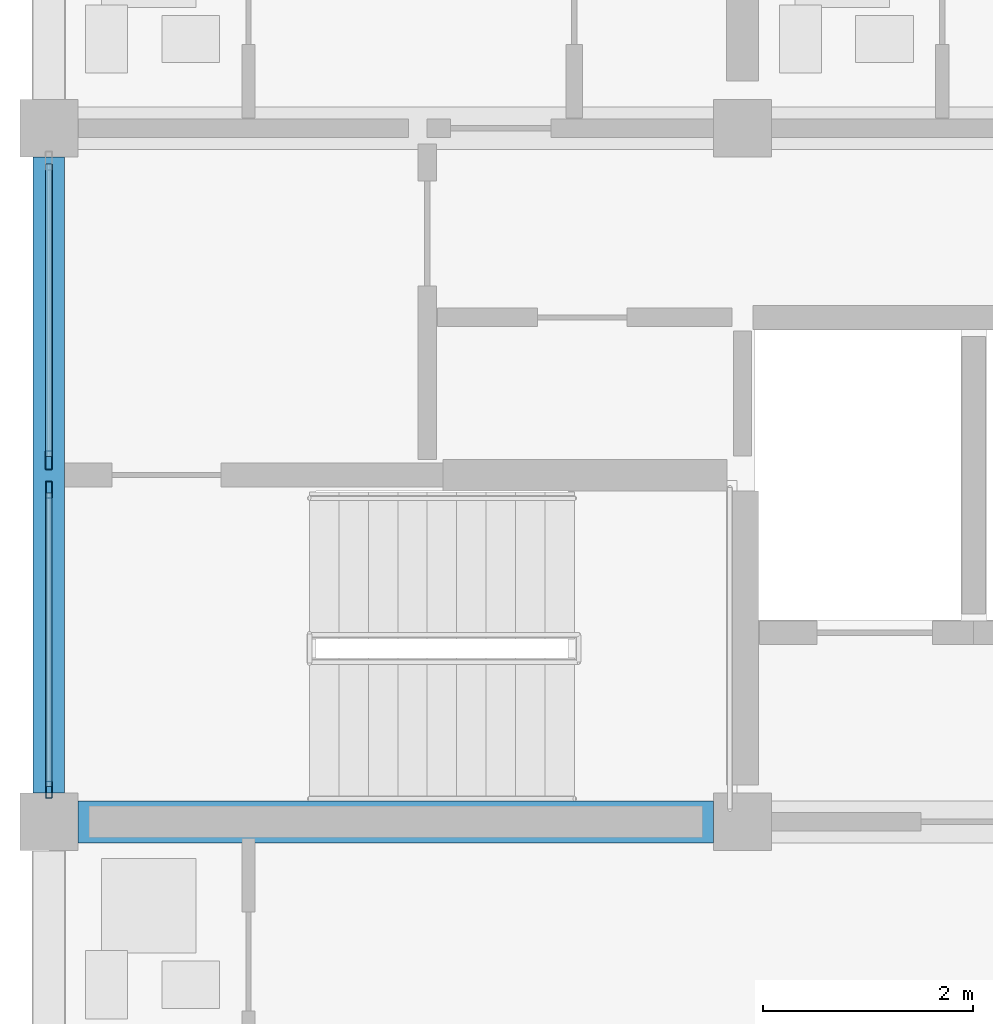
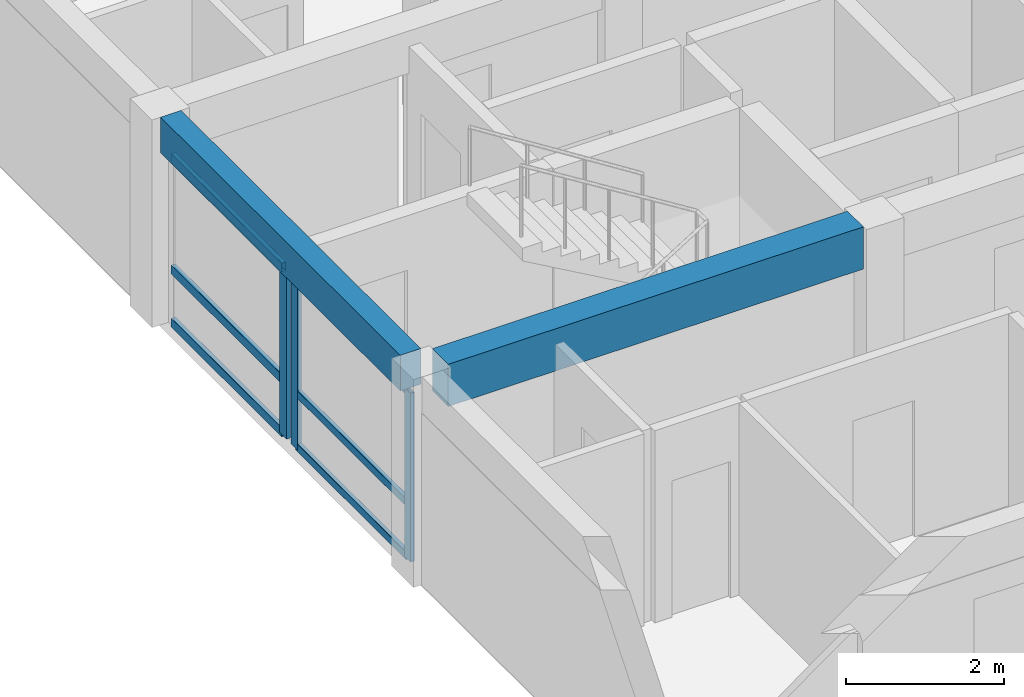
# One storey, part 15 of 45: 9 members, 2 beams, 2 elements without a shape of their own.
"""IFC4 building model written with IfcOpenShell, lengths in metres."""

from ifc_helpers import new_model, si_unit, direction, frame, origin, origin_2d, place, context, subcontext, project, spatial, rectangle, hollow_rectangle, extrude, material, material_profile, profile_set, type_object, element, aggregate, save


model = new_model("IFC4")

# Units and contexts
model_context = context("Model", 3, precision=1e-05, world=origin(), true_north=direction((0.0, 1.0)))
body_context = subcontext(model_context, "Body", "Model", "MODEL_VIEW")
ifc_project = project(units=[si_unit("LENGTHUNIT", "METRE"), si_unit("AREAUNIT", "SQUARE_METRE"), si_unit("VOLUMEUNIT", "CUBIC_METRE"), si_unit("PLANEANGLEUNIT", "RADIAN"), si_unit("MASSUNIT", "GRAM", prefix="KILO")], contexts=[model_context])

# Site, building, storey
site_placement = place(None, origin())
site = spatial("IfcSite", under=ifc_project, at=site_placement, CompositionType="ELEMENT")
building_placement = place(site_placement, origin())
building = spatial("IfcBuilding", under=site, at=building_placement, Name="Kernevlak Ridge Housing Community", CompositionType="ELEMENT")
storey_placement = place(building_placement, frame((0.0, 0.0, 21.199951171875)))
storey = spatial("IfcBuildingStorey", under=building, at=storey_placement, Name="L06", CompositionType="ELEMENT", Elevation=21.199951171875)

# Beam
ifc_material_1 = material(Name="Concrete C35/45", Category="concrete")
ifc_material_profile_1 = material_profile(ifc_material_1, rectangle(XDim=0.39990234375, YDim=0.64990234375, at=origin_2d()), Name="RC 400x650")
ifc_profile_set_1 = profile_set([ifc_material_profile_1], Name="Concrete C35/45")
beam_type_1 = type_object("IfcBeamType", Name="B-03", PredefinedType="T_BEAM", material=ifc_profile_set_1)
beam_1_placement = place(storey_placement, frame((15.875, 82.60009765625, 2.875), z_axis=(1.0, 0.0, 0.0), x_axis=(0.0, 1.0, 0.0)))
element("IfcBeam", 1, at=beam_1_placement, inside=storey, type_object=beam_type_1, Name="Beam B-03 L06 218", PredefinedType="T_BEAM", context=body_context, shape_type="SweptSolid", body=[
    extrude(rectangle(XDim=0.39990234375, YDim=0.64990234375, at=origin_2d()), origin(), (0.0, 0.0, 1.0), 6.050048828125),
])

# Curtain wall, members
ifc_material_2 = material(Name="Aluminium EN AW-6060 anodised and laminated glass", Category="aluminium")
curtain_wall_type_1 = type_object("IfcCurtainWallType", Name="CW-01", PredefinedType="NOTDEFINED", material=ifc_material_2)
curtain_wall_1_placement = place(storey_placement, origin())
curtain_wall_1 = element("IfcCurtainWall", 2, at=curtain_wall_1_placement, inside=storey, type_object=curtain_wall_type_1, Name="Curtain wall CW-01 CW-L06-019", PredefinedType="NOTDEFINED")
ifc_material_3 = material(Name="Aluminium EN AW-6060 anodised", Category="aluminium")
ifc_material_profile_2 = material_profile(ifc_material_3, hollow_rectangle(XDim=0.06005859375, YDim=0.159912109375, WallThickness=0.00390625, InnerFilletRadius=0.001953125, OuterFilletRadius=0.00390625, at=origin_2d()), Name="ALU 60x160x4")
ifc_profile_set_2 = profile_set([ifc_material_profile_2], Name="Aluminium EN AW-6060 anodised")
member_type_1 = type_object("IfcMemberType", Name="MU-02", PredefinedType="MULLION", material=ifc_profile_set_2)
member_1_placement = place(storey_placement, frame((15.60009765625, 82.905029296875, 0.0), z_axis=(0.0, 0.0, 1.0), x_axis=(-1.0, 0.0, 0.0)))
member_1 = element("IfcMember", 3, at=member_1_placement, type_object=member_type_1, Name="CW-01 mullion 1", PredefinedType="MULLION", context=body_context, shape_type="SweptSolid", body=[
    extrude(hollow_rectangle(XDim=0.06005859375, YDim=0.159912109375, WallThickness=0.00390625, InnerFilletRadius=0.001953125, OuterFilletRadius=0.00390625, at=origin_2d()), origin(), (0.0, 0.0, 1.0), 2.60009765625),
])
member_2_placement = place(storey_placement, frame((15.60009765625, 85.760009765625, 0.0), z_axis=(0.0, 0.0, 1.0), x_axis=(-1.0, 0.0, 0.0)))
member_2 = element("IfcMember", 4, at=member_2_placement, type_object=member_type_1, Name="CW-01 mullion 2", PredefinedType="MULLION", context=body_context, shape_type="SweptSolid", body=[
    extrude(hollow_rectangle(XDim=0.06005859375, YDim=0.159912109375, WallThickness=0.00390625, InnerFilletRadius=0.001953125, OuterFilletRadius=0.00390625, at=origin_2d()), origin(), (0.0, 0.0, 1.0), 2.60009765625),
])

# Curtain wall, member
curtain_wall_type_2 = type_object("IfcCurtainWallType", Name="CW-07", PredefinedType="NOTDEFINED", material=ifc_material_2)
curtain_wall_2_placement = place(storey_placement, origin())
curtain_wall_2 = element("IfcCurtainWall", 5, at=curtain_wall_2_placement, inside=storey, type_object=curtain_wall_type_2, Name="Curtain wall CW-07 CW-L06-020", PredefinedType="NOTDEFINED")
ifc_material_profile_3 = material_profile(ifc_material_3, hollow_rectangle(XDim=0.06494140625, YDim=0.179931640625, WallThickness=0.00439453125, InnerFilletRadius=0.001953125, OuterFilletRadius=0.00439453125, at=origin_2d()), Name="ALU 65x180x4.5")
ifc_profile_set_3 = profile_set([ifc_material_profile_3], Name="Aluminium EN AW-6060 anodised")
member_type_2 = type_object("IfcMemberType", Name="MU-03", PredefinedType="MULLION", material=ifc_profile_set_3)
member_3_placement = place(storey_placement, frame((15.60009765625, 86.04248046875, 0.0), z_axis=(0.0, 0.0, 1.0), x_axis=(-1.0, 0.0, 0.0)))
member_3 = element("IfcMember", 6, at=member_3_placement, type_object=member_type_2, Name="CW-07 mullion 1", PredefinedType="MULLION", context=body_context, shape_type="SweptSolid", body=[
    extrude(hollow_rectangle(XDim=0.06494140625, YDim=0.179931640625, WallThickness=0.00439453125, InnerFilletRadius=0.001953125, OuterFilletRadius=0.00439453125, at=origin_2d()), origin(), (0.0, 0.0, 1.0), 2.60009765625),
])

# Beam
ifc_material_profile_4 = material_profile(ifc_material_1, rectangle(XDim=0.300048828125, YDim=0.550048828125, at=origin_2d()), Name="RC 300x550")
ifc_profile_set_4 = profile_set([ifc_material_profile_4], Name="Concrete C35/45")
beam_type_2 = type_object("IfcBeamType", Name="SP-01", PredefinedType="SPANDREL", material=ifc_profile_set_4)
beam_2_placement = place(storey_placement, frame((15.60009765625, 82.875, 2.925048828125), z_axis=(0.0, 1.0, 0.0), x_axis=(-1.0, 0.0, 0.0)))
element("IfcBeam", 7, at=beam_2_placement, inside=storey, type_object=beam_type_2, Name="Beam SP-01 L06 234", PredefinedType="SPANDREL", context=body_context, shape_type="SweptSolid", body=[
    extrude(rectangle(XDim=0.300048828125, YDim=0.550048828125, at=origin_2d()), origin(), (0.0, 0.0, 1.0), 6.050048828125),
])

# Member
ifc_material_profile_5 = material_profile(ifc_material_3, hollow_rectangle(XDim=0.06005859375, YDim=0.1201171875, WallThickness=0.00390625, InnerFilletRadius=0.001953125, OuterFilletRadius=0.00390625, at=origin_2d()), Name="ALU 60x120x4")
ifc_profile_set_5 = profile_set([ifc_material_profile_5], Name="Aluminium EN AW-6060 anodised")
member_type_3 = type_object("IfcMemberType", Name="TM-02", PredefinedType="USERDEFINED", material=ifc_profile_set_5)
member_4_placement = place(storey_placement, frame((15.60009765625, 82.93505859375, 0.030029296875), z_axis=(0.0, 1.0, 0.0), x_axis=(-1.0, 0.0, 0.0)))
member_4 = element("IfcMember", 8, at=member_4_placement, type_object=member_type_3, Name="CW-01 transom 1.1", ObjectType="TRANSOM", PredefinedType="USERDEFINED", context=body_context, shape_type="SweptSolid", body=[
    extrude(hollow_rectangle(XDim=0.06005859375, YDim=0.1201171875, WallThickness=0.00390625, InnerFilletRadius=0.001953125, OuterFilletRadius=0.00390625, at=origin_2d()), origin(), (0.0, 0.0, 1.0), 2.794921875),
])

member_5_placement = place(storey_placement, frame((15.60009765625, 82.93505859375, 0.85009765625), z_axis=(0.0, 1.0, 0.0), x_axis=(-1.0, 0.0, 0.0)))
member_5 = element("IfcMember", 9, at=member_5_placement, type_object=member_type_3, Name="CW-01 transom 1.2", ObjectType="TRANSOM", PredefinedType="USERDEFINED", context=body_context, shape_type="SweptSolid", body=[
    extrude(hollow_rectangle(XDim=0.06005859375, YDim=0.1201171875, WallThickness=0.00390625, InnerFilletRadius=0.001953125, OuterFilletRadius=0.00390625, at=origin_2d()), origin(), (0.0, 0.0, 1.0), 2.794921875),
])

member_6_placement = place(storey_placement, frame((15.60009765625, 82.93505859375, 2.570068359375), z_axis=(0.0, 1.0, 0.0), x_axis=(-1.0, 0.0, 0.0)))
member_6 = element("IfcMember", 10, at=member_6_placement, type_object=member_type_3, Name="CW-01 transom 1.3", ObjectType="TRANSOM", PredefinedType="USERDEFINED", context=body_context, shape_type="SweptSolid", body=[
    extrude(hollow_rectangle(XDim=0.06005859375, YDim=0.1201171875, WallThickness=0.00390625, InnerFilletRadius=0.001953125, OuterFilletRadius=0.00390625, at=origin_2d()), origin(), (0.0, 0.0, 1.0), 2.794921875),
])

aggregate(curtain_wall_1, [member_1, member_2, member_4, member_5, member_6])

ifc_material_profile_6 = material_profile(ifc_material_3, hollow_rectangle(XDim=0.06494140625, YDim=0.139892578125, WallThickness=0.00390625, InnerFilletRadius=0.001953125, OuterFilletRadius=0.00390625, at=origin_2d()), Name="ALU 65x140x4")
ifc_profile_set_6 = profile_set([ifc_material_profile_6], Name="Aluminium EN AW-6060 anodised")
member_type_4 = type_object("IfcMemberType", Name="TM-03", PredefinedType="USERDEFINED", material=ifc_profile_set_6)
member_7_placement = place(storey_placement, frame((15.60009765625, 86.074951171875, 0.032470703125), z_axis=(0.0, 1.0, 0.0), x_axis=(-1.0, 0.0, 0.0)))
member_7 = element("IfcMember", 11, at=member_7_placement, type_object=member_type_4, Name="CW-07 transom 1.1", ObjectType="TRANSOM", PredefinedType="USERDEFINED", context=body_context, shape_type="SweptSolid", body=[
    extrude(hollow_rectangle(XDim=0.06494140625, YDim=0.139892578125, WallThickness=0.00390625, InnerFilletRadius=0.001953125, OuterFilletRadius=0.00390625, at=origin_2d()), origin(), (0.0, 0.0, 1.0), 2.78515625),
])

member_8_placement = place(storey_placement, frame((15.60009765625, 86.074951171875, 0.85009765625), z_axis=(0.0, 1.0, 0.0), x_axis=(-1.0, 0.0, 0.0)))
member_8 = element("IfcMember", 12, at=member_8_placement, type_object=member_type_4, Name="CW-07 transom 1.2", ObjectType="TRANSOM", PredefinedType="USERDEFINED", context=body_context, shape_type="SweptSolid", body=[
    extrude(hollow_rectangle(XDim=0.06494140625, YDim=0.139892578125, WallThickness=0.00390625, InnerFilletRadius=0.001953125, OuterFilletRadius=0.00390625, at=origin_2d()), origin(), (0.0, 0.0, 1.0), 2.78515625),
])

member_9_placement = place(storey_placement, frame((15.60009765625, 86.074951171875, 2.567626953125), z_axis=(0.0, 1.0, 0.0), x_axis=(-1.0, 0.0, 0.0)))
member_9 = element("IfcMember", 13, at=member_9_placement, type_object=member_type_4, Name="CW-07 transom 1.3", ObjectType="TRANSOM", PredefinedType="USERDEFINED", context=body_context, shape_type="SweptSolid", body=[
    extrude(hollow_rectangle(XDim=0.06494140625, YDim=0.139892578125, WallThickness=0.00390625, InnerFilletRadius=0.001953125, OuterFilletRadius=0.00390625, at=origin_2d()), origin(), (0.0, 0.0, 1.0), 2.78515625),
])

aggregate(curtain_wall_2, [member_3, member_7, member_8, member_9])

save(model, "model.ifc")
